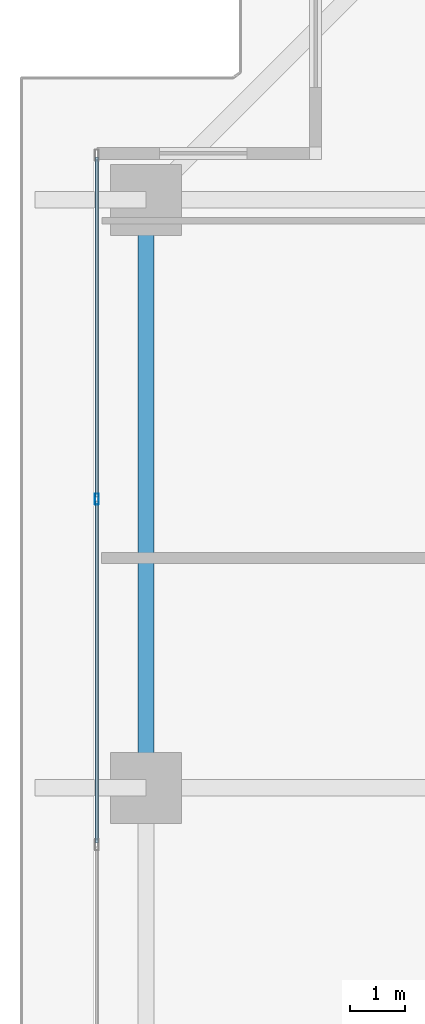
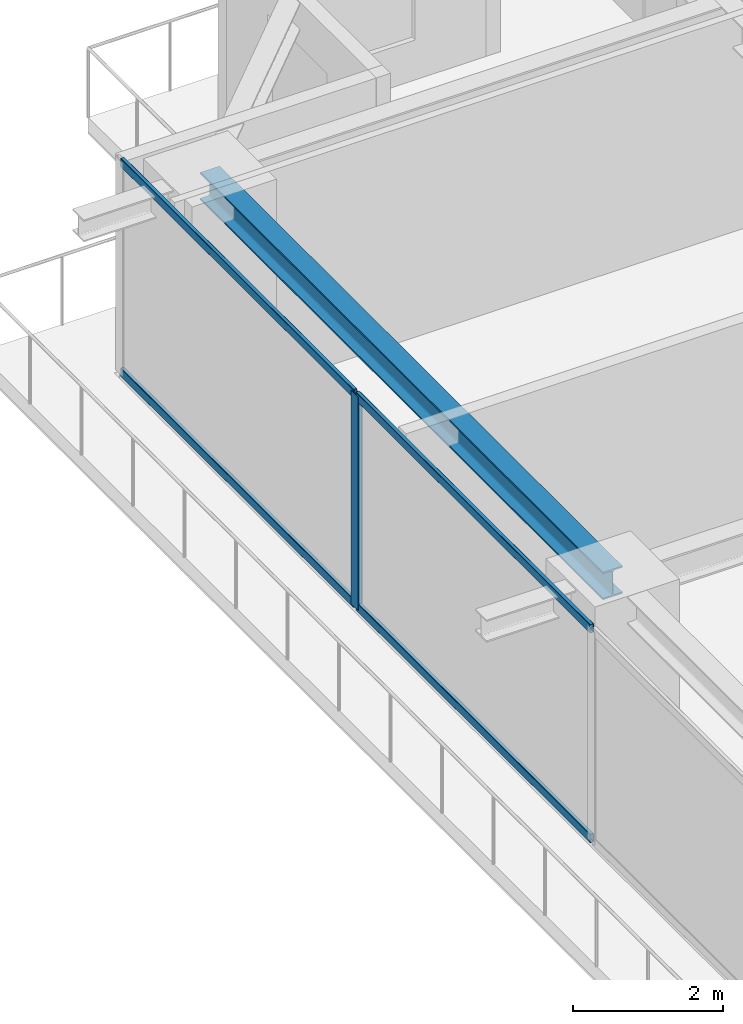
# One storey, part 16 of 36: 5 members, 1 beam, 1 element without a shape of its own.
"""IFC4 building model written with IfcOpenShell, lengths in metres."""

import ifcopenshell
import ifcopenshell.guid

model = None  # the IFC model being written
_history = None  # IfcOwnerHistory: only IFC2X3 demands one
_inside = {}  # id of a spatial element -> (the spatial element, [elements in it])
_under = {}  # id of a project, library or spatial element -> (it, [spatial elements below it])
_declared = {}  # id of a project -> (the project, [libraries it declares])
_typed = {}  # id of a type object -> (the type object, [elements of that type])
_made_of = {}  # id of a material, layer set ... -> (it, [elements and type objects made of it])


def new_model(schema):
    """Start an empty IFC model of exactly this schema.

    Asked for "IFC4X3", IfcOpenShell would pick the latest addendum, in which some entities
    have other attributes; the version numbers below select the first issue.
    IFC2X3 requires an IfcOwnerHistory on every rooted entity: one is made here for all.
    """
    global model, _history
    if schema == "IFC4X3":
        model = ifcopenshell.file(schema_version=(4, 3, 0, 0))
    else:
        model = ifcopenshell.file(schema=schema)
    _inside.clear()
    _under.clear()
    _declared.clear()
    _typed.clear()
    _made_of.clear()
    _history = None
    if model.schema == "IFC2X3":
        org = make("IfcOrganization", Name="unknown")
        user = make(
            "IfcPersonAndOrganization",
            ThePerson=make("IfcPerson", FamilyName="unknown"),
            TheOrganization=org,
        )
        app = make(
            "IfcApplication",
            ApplicationDeveloper=org,
            Version="unknown",
            ApplicationFullName="unknown",
            ApplicationIdentifier="unknown",
        )
        _history = make(
            "IfcOwnerHistory",
            OwningUser=user,
            OwningApplication=app,
            ChangeAction="ADDED",
            CreationDate=0,
        )
    return model


def make(cls, **values):
    """One entity of the class cls with the attributes given. An attribute that is None is left unset."""
    return model.create_entity(
        cls, **{name: value for name, value in values.items() if value is not None}
    )


def rooted(cls, **values):
    """An entity with a GlobalId (a new one), such as an element, a storey or a relation."""
    return make(cls, GlobalId=ifcopenshell.guid.new(), OwnerHistory=_history, **values)


def si_unit(unit_type, name, prefix=None):
    """IfcSIUnit, for example si_unit("LENGTHUNIT", "METRE", prefix="MILLI")."""
    return make("IfcSIUnit", UnitType=unit_type, Prefix=prefix, Name=name)


def assignment(units):
    """IfcUnitAssignment: the units of a project."""
    return None if units is None else make("IfcUnitAssignment", Units=units)


def point(xyz):
    """IfcCartesianPoint."""
    return None if xyz is None else make("IfcCartesianPoint", Coordinates=xyz)


def direction(xyz):
    """IfcDirection."""
    return None if xyz is None else make("IfcDirection", DirectionRatios=xyz)


def frame(location, z_axis=None, x_axis=None):
    """IfcAxis2Placement3D, a coordinate frame: its origin and axes. An axis left out is left unset."""
    return make(
        "IfcAxis2Placement3D",
        Location=point(location),
        Axis=direction(z_axis),
        RefDirection=direction(x_axis),
    )


def frame_2d(location, x_axis=None):
    """IfcAxis2Placement2D, a coordinate frame in the plane: its origin and x axis."""
    return make(
        "IfcAxis2Placement2D", Location=point(location), RefDirection=direction(x_axis)
    )


def origin():
    """The frame at (0, 0, 0) with its axes left unset."""
    return frame((0.0, 0.0, 0.0))


def origin_2d():
    """The frame at (0, 0) in the plane with its x axis left unset."""
    return frame_2d((0.0, 0.0))


def place(relative_to, where):
    """IfcLocalPlacement: puts the frame where relative to a parent placement (None: the world)."""
    return make(
        "IfcLocalPlacement", PlacementRelTo=relative_to, RelativePlacement=where
    )


def context(
    kind, dimensions, precision=None, world=None, true_north=None, identifier=None
):
    """IfcGeometricRepresentationContext, for example the 3D "Model" context."""
    return make(
        "IfcGeometricRepresentationContext",
        ContextIdentifier=identifier,
        ContextType=kind,
        CoordinateSpaceDimension=dimensions,
        Precision=precision,
        WorldCoordinateSystem=world,
        TrueNorth=true_north,
    )


def subcontext(parent, identifier, kind, view, scale=None):
    """IfcGeometricRepresentationSubContext, for example "Body" below "Model"."""
    return make(
        "IfcGeometricRepresentationSubContext",
        ContextIdentifier=identifier,
        ContextType=kind,
        ParentContext=parent,
        TargetScale=scale,
        TargetView=view,
    )


def project(units=None, contexts=None):
    """IfcProject with its units and contexts."""
    return rooted(
        "IfcProject",
        Name="project",
        RepresentationContexts=contexts,
        UnitsInContext=assignment(units),
    )


def spatial(cls, under=None, at=None, **own):
    """A site, building, storey or space (cls), placed at a placement, below another one or the project."""
    s = rooted(cls, ObjectPlacement=at, **own)
    if under is not None:
        _under.setdefault(under.id(), (under, []))[1].append(s)
    return s


def profile(cls, at=None, kind="AREA", **sizes):
    """A parametric profile (cls). Its sizes go by their IFC names, for example OverallWidth=200.0."""
    return make(cls, ProfileType=kind, Position=at, **sizes)


def hollow_rectangle(**sizes):
    """IfcRectangleHollowProfileDef."""
    return profile("IfcRectangleHollowProfileDef", **sizes)


def i_section(**sizes):
    """IfcIShapeProfileDef."""
    return profile("IfcIShapeProfileDef", **sizes)


def extrude(swept, where, along, depth):
    """IfcExtrudedAreaSolid: the profile swept, set in the frame where, extruded along a direction by depth."""
    return make(
        "IfcExtrudedAreaSolid",
        SweptArea=swept,
        Position=where,
        ExtrudedDirection=direction(along),
        Depth=depth,
    )


def shape(context_of_items, identifier, shape_type, items):
    """IfcShapeRepresentation: the items that make up one representation, for example the "Body"."""
    return make(
        "IfcShapeRepresentation",
        ContextOfItems=context_of_items,
        RepresentationIdentifier=identifier,
        RepresentationType=shape_type,
        Items=items,
    )


def source(mapping_origin, context_of_items, identifier, shape_type, items):
    """IfcRepresentationMap: a shape defined once, which mapped items show again and again."""
    return make(
        "IfcRepresentationMap",
        MappingOrigin=mapping_origin,
        MappedRepresentation=shape(context_of_items, identifier, shape_type, items),
    )


def transform(
    local_origin,
    x_axis=None,
    y_axis=None,
    z_axis=None,
    scale=None,
    scale2=None,
    scale3=None,
    uniform=True,
):
    """IfcCartesianTransformationOperator3D, or its non-uniform kind. x_axis, y_axis, z_axis: its Axis1, 2, 3."""
    if uniform:
        return make(
            "IfcCartesianTransformationOperator3D",
            Axis1=direction(x_axis),
            Axis2=direction(y_axis),
            LocalOrigin=point(local_origin),
            Scale=scale,
            Axis3=direction(z_axis),
        )
    return make(
        "IfcCartesianTransformationOperator3DnonUniform",
        Axis1=direction(x_axis),
        Axis2=direction(y_axis),
        LocalOrigin=point(local_origin),
        Scale=scale,
        Axis3=direction(z_axis),
        Scale2=scale2,
        Scale3=scale3,
    )


def mapped(mapping_source, mapping_target):
    """IfcMappedItem: shows the shape of a source again, moved by a transform."""
    return make(
        "IfcMappedItem", MappingSource=mapping_source, MappingTarget=mapping_target
    )


def material(Name=None, Category=None):
    """IfcMaterial."""
    return make("IfcMaterial", Name=Name, Category=Category)


def layer(
    of_material, thickness, ventilated=None, Name=None, Category=None, Priority=None
):
    """IfcMaterialLayer: one layer of a wall or slab, of a material (None: an air gap)."""
    return make(
        "IfcMaterialLayer",
        Material=of_material,
        LayerThickness=thickness,
        IsVentilated=ventilated,
        Name=Name,
        Category=Category,
        Priority=Priority,
    )


def layer_set(layers, Name=None):
    """IfcMaterialLayerSet."""
    return make("IfcMaterialLayerSet", MaterialLayers=layers, LayerSetName=Name)


def material_profile(
    of_material, cross_section, Name=None, Category=None, Priority=None
):
    """IfcMaterialProfile: a cross section and its material."""
    return make(
        "IfcMaterialProfile",
        Name=Name,
        Material=of_material,
        Profile=cross_section,
        Priority=Priority,
        Category=Category,
    )


def profile_set(profiles, Name=None, composite=None):
    """IfcMaterialProfileSet."""
    return make(
        "IfcMaterialProfileSet",
        Name=Name,
        MaterialProfiles=profiles,
        CompositeProfile=composite,
    )


def made_of(thing, what):
    """Note that an element or type object is made of a material, layer set ...; save() writes the relation."""
    if what is not None:
        _made_of.setdefault(what.id(), (what, []))[1].append(thing)
    return thing


def type_object(cls, material=None, **own):
    """A type object (cls), such as IfcWallType, which elements share."""
    return made_of(rooted(cls, **own), material)


def element(
    cls,
    number,
    at=None,
    inside=None,
    cuts=None,
    type_object=None,
    material=None,
    context=None,
    identifier="Body",
    shape_type=None,
    held_by="IfcProductDefinitionShape",
    body=None,
    shapes=None,
    **own,
):
    """One element of the class cls, such as IfcWall. Its Tag is "e" and its number.

    at: its placement. inside: the storey or other place that contains it. cuts: it is an
    opening in that element (IfcRelVoidsElement). A single representation is given by context,
    identifier, shape_type and body (its items); several are given by shapes. held_by: the class
    of the entity that holds the representations. save() writes the other relations.
    """
    e = rooted(cls, Tag="e%d" % number, ObjectPlacement=at, **own)
    if body is not None:
        shapes = [shape(context, identifier, shape_type, body)]
    if shapes is not None:
        e.Representation = make(held_by, Representations=shapes)
    if inside is not None:
        _inside.setdefault(inside.id(), (inside, []))[1].append(e)
    if cuts is not None:
        rooted(
            "IfcRelVoidsElement", RelatingBuildingElement=cuts, RelatedOpeningElement=e
        )
    if type_object is not None:
        _typed.setdefault(type_object.id(), (type_object, []))[1].append(e)
    return made_of(e, material)


def aggregate(whole, parts):
    """IfcRelAggregates: a whole, such as a stair, and the parts it consists of."""
    return rooted("IfcRelAggregates", RelatingObject=whole, RelatedObjects=parts)


def save(model, path):
    """Write the relations noted so far, then the file.

    IfcRelAggregates (storeys below a building ...), IfcRelContainedInSpatialStructure (elements
    in a storey), IfcRelDefinesByType, IfcRelAssociatesMaterial and IfcRelDeclares: one each for
    every whole, place, type object, material and project.
    """
    for whole, parts in _under.values():
        aggregate(whole, parts)
    for where, things in _inside.values():
        rooted(
            "IfcRelContainedInSpatialStructure",
            RelatedElements=things,
            RelatingStructure=where,
        )
    for kind, things in _typed.values():
        rooted("IfcRelDefinesByType", RelatedObjects=things, RelatingType=kind)
    for what, things in _made_of.values():
        rooted("IfcRelAssociatesMaterial", RelatedObjects=things, RelatingMaterial=what)
    for by, libraries in _declared.values():
        rooted("IfcRelDeclares", RelatingContext=by, RelatedDefinitions=libraries)
    model.write(path)


model = new_model("IFC4")

# Units and contexts
model_context = context("Model", 3, precision=1e-05, world=origin(), true_north=direction((0.0, 1.0)))
body_context = subcontext(model_context, "Body", "Model", "MODEL_VIEW")
ifc_project = project(units=[si_unit("LENGTHUNIT", "METRE"), si_unit("AREAUNIT", "SQUARE_METRE"), si_unit("VOLUMEUNIT", "CUBIC_METRE"), si_unit("PLANEANGLEUNIT", "RADIAN"), si_unit("MASSUNIT", "GRAM", prefix="KILO")], contexts=[model_context])

# Site, building, storey
site_placement = place(None, origin())
site = spatial("IfcSite", under=ifc_project, at=site_placement, CompositionType="ELEMENT")
building_placement = place(site_placement, origin())
building = spatial("IfcBuilding", under=site, at=building_placement, Name="Serunith Strait Residences", CompositionType="ELEMENT")
storey_placement = place(building_placement, frame((0.0, 0.0, 131.39990234375)))
storey = spatial("IfcBuildingStorey", under=building, at=storey_placement, Name="L32", CompositionType="ELEMENT", Elevation=131.39990234375)

# Beam
ifc_material_1 = material(Name="Steel S355J2", Category="steel")
ifc_material_profile_1 = material_profile(ifc_material_1, i_section(OverallWidth=0.300048828125, OverallDepth=0.449951171875, WebThickness=0.013916015625, FlangeThickness=0.02587890625, FilletRadius=0.027099609375, at=origin_2d()), Name="HEB 450")
ifc_profile_set_1 = profile_set([ifc_material_profile_1], Name="Steel S355J2")
beam_type = type_object("IfcBeamType", Name="BM-HEB450", PredefinedType="BEAM", material=ifc_profile_set_1)
shared_shape_1 = source(origin(), body_context, "Body", "SweptSolid", [
    extrude(i_section(OverallWidth=0.300048828125, OverallDepth=0.449951171875, WebThickness=0.013916015625, FlangeThickness=0.02587890625, FilletRadius=0.027099609375, at=origin_2d()), origin(), (0.0, 0.0, 1.0), 10.75),
])
beam_placement = place(storey_placement, frame((8.699951171875, 40.14990234375, 3.26220703125), z_axis=(0.0, -1.0, 0.0), x_axis=(1.0, 0.0, 0.0)))
element("IfcBeam", 1, at=beam_placement, inside=storey, type_object=beam_type, Name="L32 Perimeter Ring Beam 13", PredefinedType="BEAM", context=body_context, shape_type="MappedRepresentation", body=[
    mapped(shared_shape_1, transform((0.0, 0.0, 0.0), scale=1.0)),
])

# Curtain wall, members
ifc_material_2 = material(Name="Pale-Champagne Anodised Aluminium", Category="aluminium")
ifc_layer = layer(ifc_material_2, 0.199951171875, Name="Pale-Champagne Anodised Aluminium")
ifc_layer_set = layer_set([ifc_layer], Name="Pale-Champagne Anodised Aluminium")
curtain_wall_type = type_object("IfcCurtainWallType", Name="CW-SYS2", PredefinedType="NOTDEFINED", material=ifc_layer_set)
curtain_wall_placement = place(storey_placement, origin())
curtain_wall = element("IfcCurtainWall", 2, at=curtain_wall_placement, inside=storey, type_object=curtain_wall_type, Name="L32 W Unitised Fritted Curtain Wall", PredefinedType="NOTDEFINED")
ifc_material_profile_2 = material_profile(ifc_material_2, hollow_rectangle(XDim=0.070068359375, YDim=0.199951171875, WallThickness=0.00390625, InnerFilletRadius=0.006103515625, OuterFilletRadius=0.010009765625, at=origin_2d()), Name="ALU 200x70x4")
ifc_profile_set_2 = profile_set([ifc_material_profile_2], Name="Pale-Champagne Anodised Aluminium")
member_type_1 = type_object("IfcMemberType", Name="CW-SYS2-MULL", PredefinedType="MULLION", material=ifc_profile_set_2)
shared_shape_2 = source(origin(), body_context, "Body", "SweptSolid", [
    extrude(hollow_rectangle(XDim=0.070068359375, YDim=0.199951171875, WallThickness=0.00390625, InnerFilletRadius=0.006103515625, OuterFilletRadius=0.010009765625, at=origin_2d()), origin(), (0.0, 0.0, 1.0), 3.47509765625),
])
member_1_placement = place(storey_placement, frame((7.800048828125, 34.679931640625, 0.0), z_axis=(0.0, 0.0, 1.0), x_axis=(1.0, 0.0, 0.0)))
member_1 = element("IfcMember", 3, at=member_1_placement, type_object=member_type_1, Name="CW-2 mullion 2", PredefinedType="MULLION", context=body_context, shape_type="MappedRepresentation", body=[
    mapped(shared_shape_2, transform((0.0, 0.0, 0.0), scale=1.0)),
])
ifc_material_profile_3 = material_profile(ifc_material_2, hollow_rectangle(XDim=0.06005859375, YDim=0.139892578125, WallThickness=0.00341796875, InnerFilletRadius=0.00537109375, OuterFilletRadius=0.0087890625, at=origin_2d()), Name="ALU 140x60x3.5")
ifc_profile_set_3 = profile_set([ifc_material_profile_3], Name="Pale-Champagne Anodised Aluminium")
member_type_2 = type_object("IfcMemberType", Name="CW-SYS2-TRAN", PredefinedType="USERDEFINED", material=ifc_profile_set_3)
shared_shape_3 = source(origin(), body_context, "Body", "SweptSolid", [
    extrude(hollow_rectangle(XDim=0.06005859375, YDim=0.139892578125, WallThickness=0.00341796875, InnerFilletRadius=0.00537109375, OuterFilletRadius=0.0087890625, at=origin_2d()), origin(), (0.0, 0.0, 1.0), 6.25),
])
member_2_placement = place(storey_placement, frame((7.800048828125, 34.64501953125, 0.030029296875), z_axis=(0.0, -1.0, 0.0), x_axis=(1.0, 0.0, 0.0)))
member_2 = element("IfcMember", 4, at=member_2_placement, type_object=member_type_2, Name="CW-2 transom 2.1", ObjectType="TRANSOM", PredefinedType="USERDEFINED", context=body_context, shape_type="MappedRepresentation", body=[
    mapped(shared_shape_3, transform((0.0, 0.0, 0.0), scale=1.0)),
])
member_3_placement = place(storey_placement, frame((7.800048828125, 34.64501953125, 3.445068359375), z_axis=(0.0, -1.0, 0.0), x_axis=(1.0, 0.0, 0.0)))
member_3 = element("IfcMember", 5, at=member_3_placement, type_object=member_type_2, Name="CW-2 transom 2.2", ObjectType="TRANSOM", PredefinedType="USERDEFINED", context=body_context, shape_type="MappedRepresentation", body=[
    mapped(shared_shape_3, transform((0.0, 0.0, 0.0), scale=1.0)),
])
shared_shape_4 = source(origin(), body_context, "Body", "SweptSolid", [
    extrude(hollow_rectangle(XDim=0.06005859375, YDim=0.139892578125, WallThickness=0.00341796875, InnerFilletRadius=0.00537109375, OuterFilletRadius=0.0087890625, at=origin_2d()), origin(), (0.0, 0.0, 1.0), 6.21484375),
])
member_4_placement = place(storey_placement, frame((7.800048828125, 40.929931640625, 0.030029296875), z_axis=(0.0, -1.0, 0.0), x_axis=(1.0, 0.0, 0.0)))
member_4 = element("IfcMember", 6, at=member_4_placement, type_object=member_type_2, Name="CW-2 transom 1.1", ObjectType="TRANSOM", PredefinedType="USERDEFINED", context=body_context, shape_type="MappedRepresentation", body=[
    mapped(shared_shape_4, transform((0.0, 0.0, 0.0), scale=1.0)),
])
member_5_placement = place(storey_placement, frame((7.800048828125, 40.929931640625, 3.445068359375), z_axis=(0.0, -1.0, 0.0), x_axis=(1.0, 0.0, 0.0)))
member_5 = element("IfcMember", 7, at=member_5_placement, type_object=member_type_2, Name="CW-2 transom 1.2", ObjectType="TRANSOM", PredefinedType="USERDEFINED", context=body_context, shape_type="MappedRepresentation", body=[
    mapped(shared_shape_4, transform((0.0, 0.0, 0.0), scale=1.0)),
])
aggregate(curtain_wall, [member_1, member_4, member_5, member_2, member_3])

save(model, "model.ifc")
